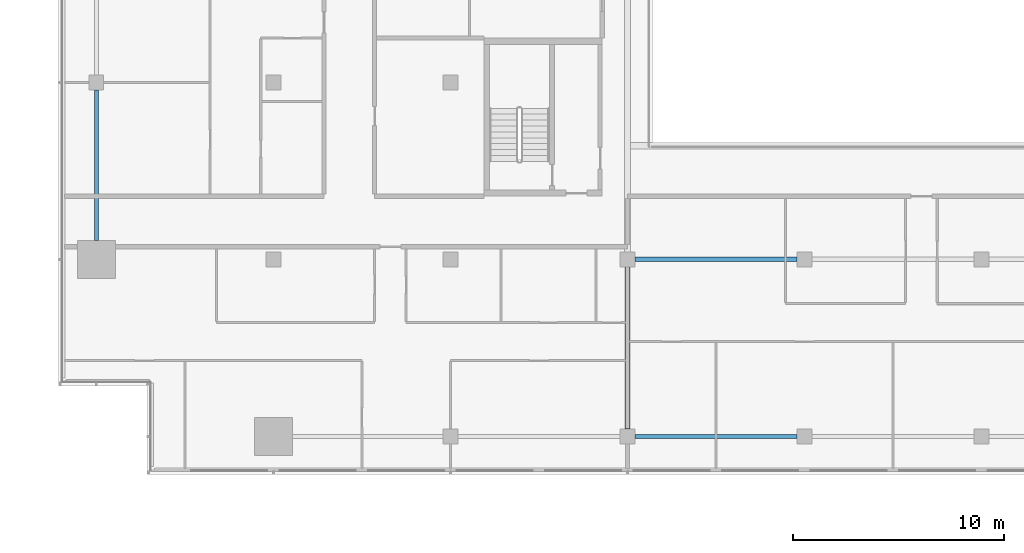
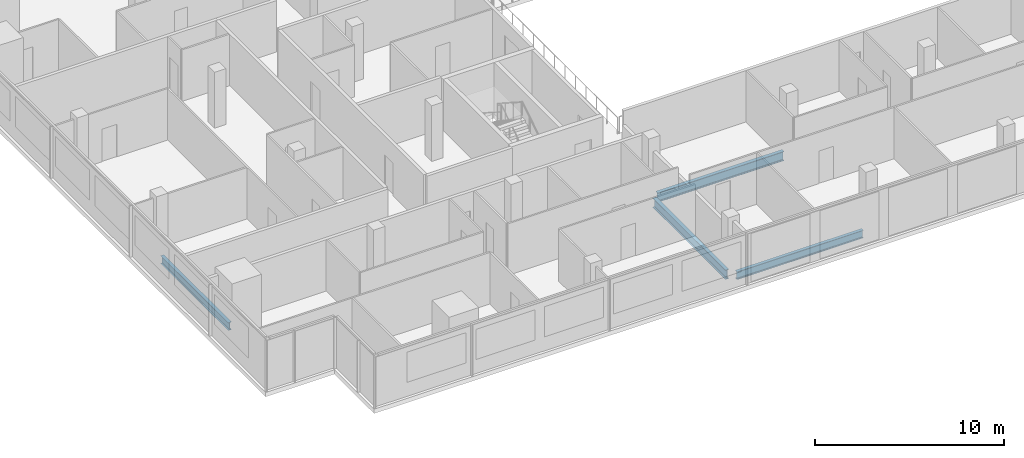
# One storey, part 3 of 30: 4 beams.
"""IFC4 building model written with IfcOpenShell, lengths in metres."""

from ifc_helpers import new_model, si_unit, direction, frame, origin, origin_2d, place, context, subcontext, project, spatial, i_section, extrude, material, material_profile, profile_set, type_object, element, save


model = new_model("IFC4")

# Units and contexts
model_context = context("Model", 3, precision=1e-05, world=origin(), true_north=direction((0.0, 1.0)))
body_context = subcontext(model_context, "Body", "Model", "MODEL_VIEW")
ifc_project = project(units=[si_unit("LENGTHUNIT", "METRE"), si_unit("AREAUNIT", "SQUARE_METRE"), si_unit("VOLUMEUNIT", "CUBIC_METRE"), si_unit("PLANEANGLEUNIT", "RADIAN"), si_unit("MASSUNIT", "GRAM", prefix="KILO")], contexts=[model_context])

# Site, building, storey
site_placement = place(None, origin())
site = spatial("IfcSite", under=ifc_project, at=site_placement, CompositionType="ELEMENT")
building_placement = place(site_placement, origin())
building = spatial("IfcBuilding", under=site, at=building_placement, Name="Saffron Gate Tower", CompositionType="ELEMENT")
storey_placement = place(building_placement, frame((0.0, 0.0, 179.85009765625)))
storey = spatial("IfcBuildingStorey", under=building, at=storey_placement, Name="L44", CompositionType="ELEMENT", Elevation=179.85009765625)

# Beams
ifc_material = material(Name="Structural steel S355", Category="steel")
ifc_material_profile_1 = material_profile(ifc_material, i_section(OverallWidth=0.199951171875, OverallDepth=0.5, WebThickness=0.01025390625, FlangeThickness=0.01611328125, FilletRadius=0.02099609375, at=origin_2d()))
ifc_profile_set_1 = profile_set([ifc_material_profile_1], Name="Structural steel S355")
beam_type_1 = type_object("IfcBeamType", Name="B11 IPE 500", PredefinedType="SPANDREL", material=ifc_profile_set_1)
beam_1_placement = place(storey_placement, frame((49.800048828125, 41.10009765625, -0.530029296875), z_axis=(0.0, 1.0, 0.0), x_axis=(-1.0, 0.0, 0.0)))
element("IfcBeam", 1, at=beam_1_placement, inside=storey, type_object=beam_type_1, Name="B11 SPANDREL BEAM", PredefinedType="SPANDREL", context=body_context, shape_type="SweptSolid", body=[
    extrude(i_section(OverallWidth=0.199951171875, OverallDepth=0.5, WebThickness=0.01025390625, FlangeThickness=0.01611328125, FilletRadius=0.02099609375, at=origin_2d()), origin(), (0.0, 0.0, 1.0), 7.14990234375),
])
beam_2_placement = place(storey_placement, frame((75.35009765625, 31.800048828125, -0.530029296875), z_axis=(1.0, 0.0, 0.0), x_axis=(0.0, 1.0, 0.0)))
element("IfcBeam", 2, at=beam_2_placement, inside=storey, type_object=beam_type_1, Name="B11 SPANDREL BEAM", PredefinedType="SPANDREL", context=body_context, shape_type="SweptSolid", body=[
    extrude(i_section(OverallWidth=0.199951171875, OverallDepth=0.5, WebThickness=0.01025390625, FlangeThickness=0.01611328125, FilletRadius=0.02099609375, at=origin_2d()), origin(), (0.0, 0.0, 1.0), 7.699951171875),
])
ifc_material_profile_2 = material_profile(ifc_material, i_section(OverallWidth=0.219970703125, OverallDepth=0.60009765625, WebThickness=0.011962890625, FlangeThickness=0.01904296875, FilletRadius=0.02392578125, at=origin_2d()))
ifc_profile_set_2 = profile_set([ifc_material_profile_2], Name="Structural steel S355")
beam_type_2 = type_object("IfcBeamType", Name="B15 IPE 600", PredefinedType="BEAM", material=ifc_profile_set_2)
beam_3_placement = place(storey_placement, frame((75.0, 32.14990234375, -0.580078125), z_axis=(0.0, 1.0, 0.0), x_axis=(-1.0, 0.0, 0.0)))
element("IfcBeam", 3, at=beam_3_placement, inside=storey, type_object=beam_type_2, Name="B15 FLOOR GIRDER", PredefinedType="BEAM", context=body_context, shape_type="SweptSolid", body=[
    extrude(i_section(OverallWidth=0.219970703125, OverallDepth=0.60009765625, WebThickness=0.011962890625, FlangeThickness=0.01904296875, FilletRadius=0.02392578125, at=origin_2d()), origin(), (0.0, 0.0, 1.0), 7.7001953125),
])
beam_4_placement = place(storey_placement, frame((75.35009765625, 40.199951171875, -0.580078125), z_axis=(1.0, 0.0, 0.0), x_axis=(0.0, 1.0, 0.0)))
element("IfcBeam", 4, at=beam_4_placement, inside=storey, type_object=beam_type_2, Name="B15 FLOOR GIRDER", PredefinedType="BEAM", context=body_context, shape_type="SweptSolid", body=[
    extrude(i_section(OverallWidth=0.219970703125, OverallDepth=0.60009765625, WebThickness=0.011962890625, FlangeThickness=0.01904296875, FilletRadius=0.02392578125, at=origin_2d()), origin(), (0.0, 0.0, 1.0), 7.699951171875),
])

save(model, "model.ifc")
